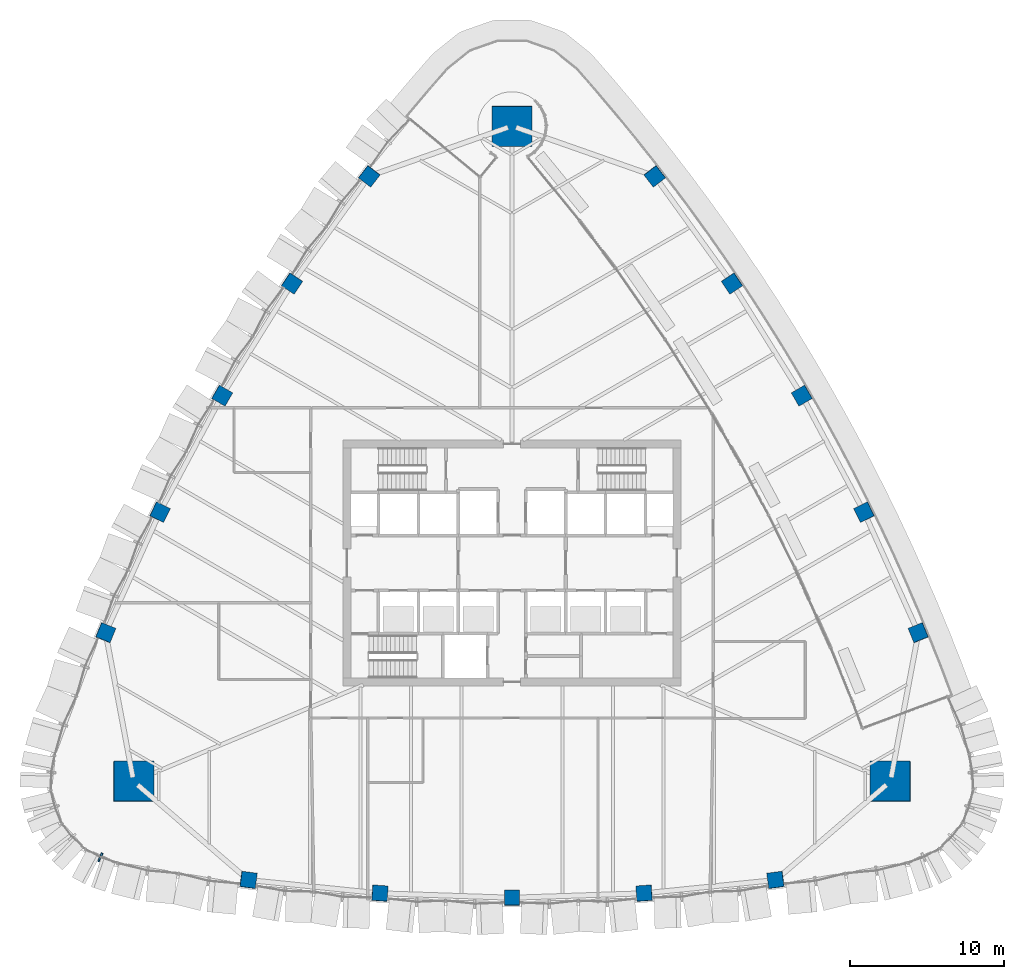
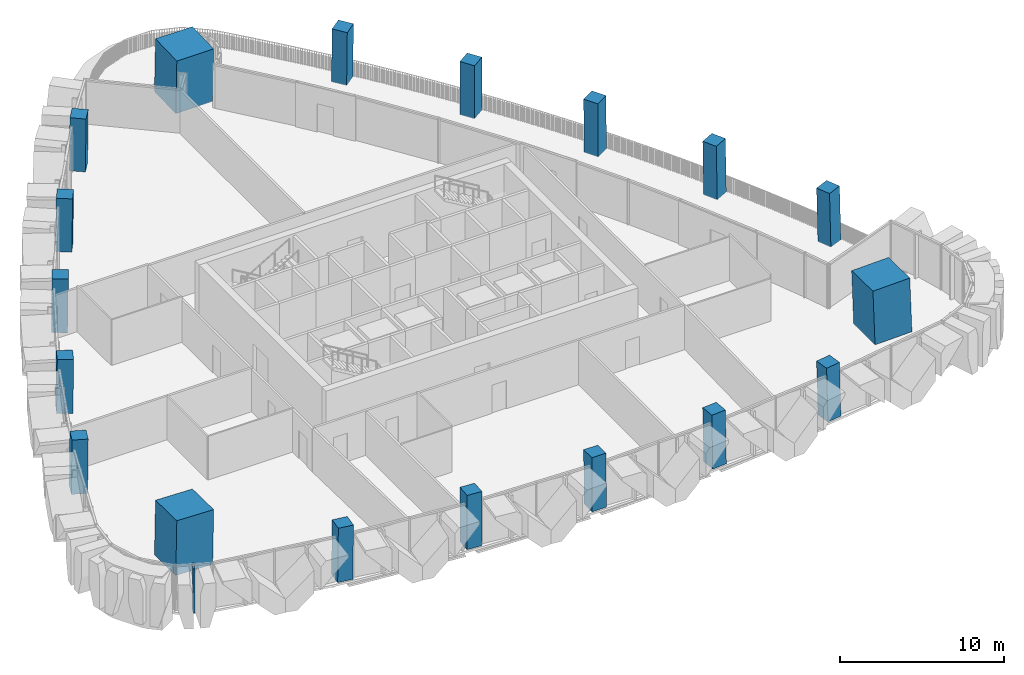
# One storey, part 1 of 22: 18 columns, 1 member, 1 element without a shape of its own.
"""IFC4 building model written with IfcOpenShell, lengths in metres."""

from ifc_helpers import new_model, si_unit, direction, frame, origin, origin_2d, place, context, subcontext, project, spatial, rectangle, extrude, material, layer, layer_set, material_profile, profile_set, type_object, element, aggregate, save


model = new_model("IFC4")

# Units and contexts
model_context = context("Model", 3, precision=1e-05, world=origin(), true_north=direction((0.0, 1.0)))
body_context = subcontext(model_context, "Body", "Model", "MODEL_VIEW")
ifc_project = project(units=[si_unit("LENGTHUNIT", "METRE"), si_unit("AREAUNIT", "SQUARE_METRE"), si_unit("VOLUMEUNIT", "CUBIC_METRE"), si_unit("PLANEANGLEUNIT", "RADIAN"), si_unit("MASSUNIT", "GRAM", prefix="KILO")], contexts=[model_context])

# Site, building, storey
site_placement = place(None, origin())
site = spatial("IfcSite", under=ifc_project, at=site_placement, CompositionType="ELEMENT")
building_placement = place(site_placement, origin())
building = spatial("IfcBuilding", under=site, at=building_placement, Name="Sierra Prisma Convention Tower", CompositionType="ELEMENT")
storey_placement = place(building_placement, frame((0.0, 0.0, 141.800048828125)))
storey = spatial("IfcBuildingStorey", under=building, at=storey_placement, Name="L30", CompositionType="ELEMENT", Elevation=141.800048828125)

# Columns
ifc_material_1 = material(Name="Concrete C60/75", Category="concrete")
ifc_material_profile_1 = material_profile(ifc_material_1, rectangle(XDim=2.60009765625, YDim=2.60009765625, at=origin_2d()), Name="Mega column RC 2600 C60/75")
ifc_profile_set_1 = profile_set([ifc_material_profile_1], Name="Concrete C60/75")
column_type_1 = type_object("IfcColumnType", Name="Mega column RC 2600 C60/75", PredefinedType="COLUMN", material=ifc_profile_set_1)
for number, where, z_axis, x_axis, name in (
    (1, (24.645751953125, -14.229248046875, 0.0), (-0.028122372328, 0.016226791842, 0.999472772716), (0.999604487872, 0.00045651644, 0.02811866672), "Mega column SE L30"),
    (2, (0.0, 28.45849609375, 0.0), (0.0, -0.032453598962, 0.999473243221), (1.0, 0.0, 0.0), "Mega column N L30"),
    (3, (-24.645751953125, -14.229248046875, 0.0), (0.028122372328, 0.016226791842, 0.999472772716), (0.999604487872, -0.00045651644, -0.02811866672), "Mega column SW L30"),
):
    element("IfcColumn", number, at=place(storey_placement, frame(where, z_axis=z_axis, x_axis=x_axis)), inside=storey, type_object=column_type_1, Name=name, PredefinedType="COLUMN", context=body_context, shape_type="SweptSolid", body=[
        extrude(rectangle(XDim=2.60009765625, YDim=2.60009765625, at=origin_2d()), origin(), (0.0, 0.0, 1.0), 4.002197265625),
    ])
ifc_material_2 = material(Name="Concrete C60/75", Category="concrete")
ifc_material_profile_2 = material_profile(ifc_material_2, rectangle(XDim=1.0, YDim=1.0, at=origin_2d()), Name="Perimeter column RC 1000 C60/75")
ifc_profile_set_2 = profile_set([ifc_material_profile_2], Name="Concrete C60/75")
column_type_2 = type_object("IfcColumnType", Name="Perimeter column RC 1000 C60/75", PredefinedType="COLUMN", material=ifc_profile_set_2)
column_1_placement = place(storey_placement, frame((-17.172607421875, -20.6494140625, 0.0), z_axis=(0.017696448434, 0.010495824588, 0.999788314284), x_axis=(-0.990860954976, 0.1339190387, 0.016132544085)))
element("IfcColumn", 4, at=column_1_placement, inside=storey, type_object=column_type_2, Name="Perimeter column S-1 L30", PredefinedType="COLUMN", context=body_context, shape_type="SweptSolid", body=[
    extrude(rectangle(XDim=1.0, YDim=1.0, at=origin_2d()), origin(), (0.0, 0.0, 1.0), 4.000732421875),
])
column_2_placement = place(storey_placement, frame((-8.605712890625, -21.51416015625, 0.0), z_axis=(0.008910223283, 0.011168293567, 0.999897933361), x_axis=(-0.997711841726, 0.067117835077, 0.008141074528)))
element("IfcColumn", 5, at=column_2_placement, inside=storey, type_object=column_type_2, Name="Perimeter column S-2 L30", PredefinedType="COLUMN", context=body_context, shape_type="SweptSolid", body=[
    extrude(rectangle(XDim=1.0, YDim=1.0, at=origin_2d()), origin(), (0.0, 0.0, 1.0), 4.00048828125),
])
column_3_placement = place(storey_placement, frame((0.0, -21.802978515625, 0.0), z_axis=(0.0, 0.011473854038, 0.99993417317), x_axis=(1.0, 0.0, 0.0)))
element("IfcColumn", 6, at=column_3_placement, inside=storey, type_object=column_type_2, Name="Perimeter column S-3 L30", PredefinedType="COLUMN", context=body_context, shape_type="SweptSolid", body=[
    extrude(rectangle(XDim=1.0, YDim=1.0, at=origin_2d()), origin(), (0.0, 0.0, 1.0), 4.000244140625),
])
column_4_placement = place(storey_placement, frame((8.605712890625, -21.51416015625, 0.0), z_axis=(-0.008910223283, 0.011168293567, 0.999897933361), x_axis=(0.997711841726, 0.067117835077, 0.008141074528)))
element("IfcColumn", 7, at=column_4_placement, inside=storey, type_object=column_type_2, Name="Perimeter column S-4 L30", PredefinedType="COLUMN", context=body_context, shape_type="SweptSolid", body=[
    extrude(rectangle(XDim=1.0, YDim=1.0, at=origin_2d()), origin(), (0.0, 0.0, 1.0), 4.00048828125),
])
for number, where, z_axis, x_axis, name in (
    (8, (17.172607421875, -20.6494140625, 0.0), (-0.017696448434, 0.010495824588, 0.999788314284), (0.990860954976, 0.1339190387, 0.016132544085), "Perimeter column S-5 L30"),
    (9, (26.468994140625, -4.547119140625, 0.0), (-0.017879535448, 0.010068680372, 0.999789449778), (-0.379623141119, 0.925001037033, -0.016104415983), "Perimeter column NE-1 L30"),
):
    element("IfcColumn", number, at=place(storey_placement, frame(where, z_axis=z_axis, x_axis=x_axis)), inside=storey, type_object=column_type_2, Name=name, PredefinedType="COLUMN", context=body_context, shape_type="SweptSolid", body=[
        extrude(rectangle(XDim=1.0, YDim=1.0, at=origin_2d()), origin(), (0.0, 0.0, 1.0), 4.000732421875),
    ])
column_5_placement = place(storey_placement, frame((22.9345703125, 3.304443359375, 0.0), z_axis=(-0.014097689605, 0.002074984617, 0.999898469639), x_axis=(-0.440788534912, 0.897574633958, -0.008077373603)))
element("IfcColumn", 10, at=column_5_placement, inside=storey, type_object=column_type_2, Name="Perimeter column NE-2 L30", PredefinedType="COLUMN", context=body_context, shape_type="SweptSolid", body=[
    extrude(rectangle(XDim=1.0, YDim=1.0, at=origin_2d()), origin(), (0.0, 0.0, 1.0), 4.00048828125),
])
column_6_placement = place(storey_placement, frame((18.8818359375, 10.9013671875, 0.0), z_axis=(-0.009887052741, -0.005675900648, 0.999935013058), x_axis=(-0.49997556095, 0.866039512773, -2.7732311e-05)))
element("IfcColumn", 11, at=column_6_placement, inside=storey, type_object=column_type_2, Name="Perimeter column NE-3 L30", PredefinedType="COLUMN", context=body_context, shape_type="SweptSolid", body=[
    extrude(rectangle(XDim=1.0, YDim=1.0, at=origin_2d()), origin(), (0.0, 0.0, 1.0), 4.000244140625),
])
column_7_placement = place(storey_placement, frame((14.3291015625, 18.209716796875, 0.0), z_axis=(-0.005248490815, -0.013243284963, 0.999898529226), x_axis=(-0.556911434942, 0.830532611065, 0.008076855053)))
element("IfcColumn", 12, at=column_7_placement, inside=storey, type_object=column_type_2, Name="Perimeter column NE-4 L30", PredefinedType="COLUMN", context=body_context, shape_type="SweptSolid", body=[
    extrude(rectangle(XDim=1.0, YDim=1.0, at=origin_2d()), origin(), (0.0, 0.0, 1.0), 4.00048828125),
])
for number, where, z_axis, x_axis, name in (
    (13, (9.296630859375, 25.1962890625, 0.0), (-0.000244089295, -0.02050350076, 0.999789751336), (-0.611332290133, 0.791210698337, 0.016076749602), "Perimeter column NE-5 L30"),
    (14, (-9.296630859375, 25.1962890625, 0.0), (0.000244089295, -0.02050350076, 0.999789751336), (0.611332290133, 0.791210698337, 0.016076749602), "Perimeter column NW-1 L30"),
):
    element("IfcColumn", number, at=place(storey_placement, frame(where, z_axis=z_axis, x_axis=x_axis)), inside=storey, type_object=column_type_2, Name=name, PredefinedType="COLUMN", context=body_context, shape_type="SweptSolid", body=[
        extrude(rectangle(XDim=1.0, YDim=1.0, at=origin_2d()), origin(), (0.0, 0.0, 1.0), 4.000732421875),
    ])
column_8_placement = place(storey_placement, frame((-14.3291015625, 18.209716796875, 0.0), z_axis=(0.005248490815, -0.013243284963, 0.999898529226), x_axis=(0.556911434942, 0.830532611065, 0.008076855053)))
element("IfcColumn", 15, at=column_8_placement, inside=storey, type_object=column_type_2, Name="Perimeter column NW-2 L30", PredefinedType="COLUMN", context=body_context, shape_type="SweptSolid", body=[
    extrude(rectangle(XDim=1.0, YDim=1.0, at=origin_2d()), origin(), (0.0, 0.0, 1.0), 4.00048828125),
])
column_9_placement = place(storey_placement, frame((-18.8818359375, 10.9013671875, 0.0), z_axis=(0.009887052741, -0.005675900648, 0.999935013058), x_axis=(0.49997556095, 0.866039512773, -2.7732311e-05)))
element("IfcColumn", 16, at=column_9_placement, inside=storey, type_object=column_type_2, Name="Perimeter column NW-3 L30", PredefinedType="COLUMN", context=body_context, shape_type="SweptSolid", body=[
    extrude(rectangle(XDim=1.0, YDim=1.0, at=origin_2d()), origin(), (0.0, 0.0, 1.0), 4.000244140625),
])
column_10_placement = place(storey_placement, frame((-22.9345703125, 3.304443359375, 0.0), z_axis=(0.014097689605, 0.002074984617, 0.999898469639), x_axis=(0.440788534912, 0.897574633958, -0.008077373603)))
element("IfcColumn", 17, at=column_10_placement, inside=storey, type_object=column_type_2, Name="Perimeter column NW-4 L30", PredefinedType="COLUMN", context=body_context, shape_type="SweptSolid", body=[
    extrude(rectangle(XDim=1.0, YDim=1.0, at=origin_2d()), origin(), (0.0, 0.0, 1.0), 4.00048828125),
])
column_11_placement = place(storey_placement, frame((-26.468994140625, -4.547119140625, 0.0), z_axis=(0.017879535448, 0.010068680372, 0.999789449778), x_axis=(0.379623141119, 0.925001037033, -0.016104415983)))
element("IfcColumn", 18, at=column_11_placement, inside=storey, type_object=column_type_2, Name="Perimeter column NW-5 L30", PredefinedType="COLUMN", context=body_context, shape_type="SweptSolid", body=[
    extrude(rectangle(XDim=1.0, YDim=1.0, at=origin_2d()), origin(), (0.0, 0.0, 1.0), 4.000732421875),
])

# Curtain wall, member
ifc_material_3 = material(Name="Aluminium and glass curtain wall", Category="aluminium")
ifc_layer = layer(ifc_material_3, 0.179931640625)
ifc_layer_set = layer_set([ifc_layer], Name="CW-2 Faceted crystal curtain wall")
curtain_wall_type = type_object("IfcCurtainWallType", Name="CW-2 Faceted crystal curtain wall", PredefinedType="NOTDEFINED", material=ifc_layer_set)
curtain_wall_placement = place(storey_placement, origin())
curtain_wall = element("IfcCurtainWall", 19, at=curtain_wall_placement, inside=storey, type_object=curtain_wall_type, Name="CW-2 SW4 L30", PredefinedType="NOTDEFINED")
ifc_material_4 = material(Name="Aluminium 6063-T6 bronze anodised", Category="aluminium")
ifc_material_profile_3 = material_profile(ifc_material_4, rectangle(XDim=0.1201171875, YDim=0.60009765625, at=origin_2d()), Name="ALU RIDGE BLADE 120x600")
ifc_profile_set_3 = profile_set([ifc_material_profile_3], Name="Aluminium 6063-T6 bronze anodised")
member_type = type_object("IfcMemberType", Name="CW hip bronze", PredefinedType="MULLION", material=ifc_profile_set_3)
member_placement = place(storey_placement, frame((-26.81103515625, -19.1748046875, 0.0), z_axis=(0.0, 0.0, 1.0), x_axis=(0.916036486044, -0.40109494666, 0.0)))
member = element("IfcMember", 20, at=member_placement, type_object=member_type, Name="CW-2 ridge SW4.1", PredefinedType="MULLION", context=body_context, shape_type="SweptSolid", body=[
    extrude(rectangle(XDim=0.1201171875, YDim=0.60009765625, at=origin_2d()), origin(), (0.0, 0.0, 1.0), 3.280029296875),
])
aggregate(curtain_wall, [member])

save(model, "model.ifc")
